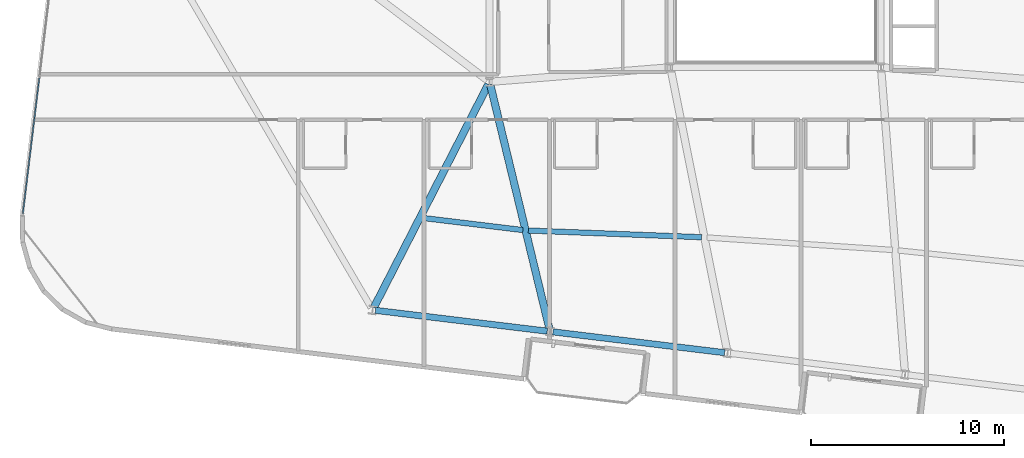
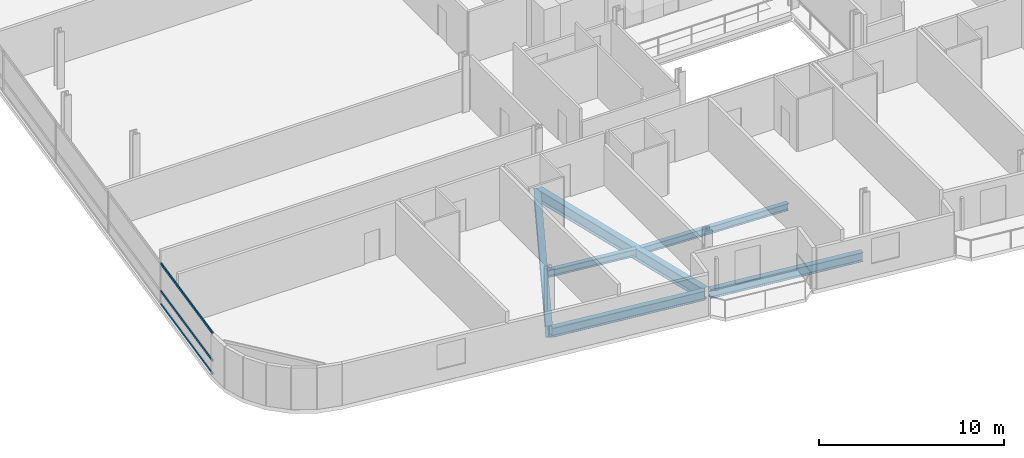
# One storey, part 3 of 26: 6 beams, 3 members, 1 element without a shape of its own.
"""IFC4 building model written with IfcOpenShell, lengths in metres."""

from ifc_helpers import new_model, si_unit, direction, frame, origin, origin_2d, place, context, subcontext, project, spatial, hollow_rectangle, i_section, extrude, material, layer, layer_set, material_profile, profile_set, type_object, element, aggregate, save


model = new_model("IFC4")

# Units and contexts
model_context = context("Model", 3, precision=1e-05, world=origin(), true_north=direction((0.0, 1.0)))
body_context = subcontext(model_context, "Body", "Model", "MODEL_VIEW")
ifc_project = project(units=[si_unit("LENGTHUNIT", "METRE"), si_unit("AREAUNIT", "SQUARE_METRE"), si_unit("VOLUMEUNIT", "CUBIC_METRE"), si_unit("PLANEANGLEUNIT", "RADIAN"), si_unit("MASSUNIT", "GRAM", prefix="KILO")], contexts=[model_context])

# Site, building, storey
site_placement = place(None, origin())
site = spatial("IfcSite", under=ifc_project, at=site_placement, CompositionType="ELEMENT")
building_placement = place(site_placement, origin())
building = spatial("IfcBuilding", under=site, at=building_placement, Name="Varnelok Gate Tower", CompositionType="ELEMENT")
storey_placement = place(building_placement, frame((0.0, 0.0, 121.699951171875)))
storey = spatial("IfcBuildingStorey", under=building, at=storey_placement, Name="L30", CompositionType="ELEMENT", Elevation=121.699951171875)

# Beams
ifc_material_1 = material(Name="Structural Steel ASTM A992 Grade 50", Category="steel")
ifc_material_profile_1 = material_profile(ifc_material_1, i_section(OverallWidth=0.280029296875, OverallDepth=0.462890625, WebThickness=0.0107421875, FlangeThickness=0.017333984375, FilletRadius=0.014892578125, at=origin_2d()), Name="W18X76")
ifc_profile_set_1 = profile_set([ifc_material_profile_1], Name="Structural Steel ASTM A992 Grade 50")
beam_type_1 = type_object("IfcBeamType", Name="BM-JST-W18X76", PredefinedType="JOIST", material=ifc_profile_set_1)
beam_1_placement = place(storey_placement, frame((20.936767578125, 11.76025390625, -0.4814453125), z_axis=(0.99273192091, -0.120346720792, 0.0), x_axis=(0.120346720792, 0.99273192091, 0.0)))
element("IfcBeam", 1, at=beam_1_placement, inside=storey, type_object=beam_type_1, Name="L30 Sector Floor Joist 1", PredefinedType="JOIST", context=body_context, shape_type="SweptSolid", body=[
    extrude(i_section(OverallWidth=0.280029296875, OverallDepth=0.462890625, WebThickness=0.0107421875, FlangeThickness=0.017333984375, FilletRadius=0.014892578125, at=origin_2d()), origin(), (0.0, 0.0, 1.0), 5.223876953125),
])
beam_2_placement = place(storey_placement, frame((26.4013671875, 11.109375, -0.4814453125), z_axis=(0.999248831598, -0.038752710239, 0.0), x_axis=(0.038752710239, 0.999248831598, 0.0)))
element("IfcBeam", 2, at=beam_2_placement, inside=storey, type_object=beam_type_1, Name="L30 Sector Floor Joist 2", PredefinedType="JOIST", context=body_context, shape_type="SweptSolid", body=[
    extrude(i_section(OverallWidth=0.280029296875, OverallDepth=0.462890625, WebThickness=0.0107421875, FlangeThickness=0.017333984375, FilletRadius=0.014892578125, at=origin_2d()), origin(), (0.0, 0.0, 1.0), 8.9775390625),
])
ifc_material_profile_2 = material_profile(ifc_material_1, i_section(OverallWidth=0.381103515625, OverallDepth=0.77294921875, WebThickness=0.0166015625, FlangeThickness=0.027099609375, FilletRadius=0.02197265625, at=origin_2d()), Name="W30X173")
ifc_profile_set_2 = profile_set([ifc_material_profile_2], Name="Structural Steel ASTM A992 Grade 50")
beam_type_2 = type_object("IfcBeamType", Name="BM-PRI-W30X173", PredefinedType="BEAM", material=ifc_profile_set_2)
beam_3_placement = place(storey_placement, frame((24.33154296875, 18.66650390625, -0.636474609375), z_axis=(-0.456386604987, -0.889781583754, 0.0), x_axis=(0.889781583754, -0.456386604987, 0.0)))
element("IfcBeam", 3, at=beam_3_placement, inside=storey, type_object=beam_type_2, Name="L30 Radial Floor Girder 1", PredefinedType="BEAM", context=body_context, shape_type="SweptSolid", body=[
    extrude(i_section(OverallWidth=0.381103515625, OverallDepth=0.77294921875, WebThickness=0.0166015625, FlangeThickness=0.027099609375, FilletRadius=0.02197265625, at=origin_2d()), origin(), (0.0, 0.0, 1.0), 12.96533203125),
])
beam_4_placement = place(storey_placement, frame((24.435302734375, 18.654296875, -0.636474609375), z_axis=(0.235400453941, -0.971898465008, 0.0), x_axis=(0.971898465008, 0.235400453941, 0.0)))
element("IfcBeam", 4, at=beam_4_placement, inside=storey, type_object=beam_type_2, Name="L30 Radial Floor Girder 2", PredefinedType="BEAM", context=body_context, shape_type="SweptSolid", body=[
    extrude(i_section(OverallWidth=0.381103515625, OverallDepth=0.77294921875, WebThickness=0.0166015625, FlangeThickness=0.027099609375, FilletRadius=0.02197265625, at=origin_2d()), origin(), (0.0, 0.0, 1.0), 12.989990234375),
])
ifc_material_profile_3 = material_profile(ifc_material_1, i_section(OverallWidth=0.323974609375, OverallDepth=0.611083984375, WebThickness=0.0126953125, FlangeThickness=0.01904296875, FilletRadius=0.01806640625, at=origin_2d()), Name="W24X104")
ifc_profile_set_3 = profile_set([ifc_material_profile_3], Name="Structural Steel ASTM A992 Grade 50")
beam_type_3 = type_object("IfcBeamType", Name="BM-SPN-W24X104", PredefinedType="SPANDREL", material=ifc_profile_set_3)
for number, where, z_axis, x_axis, name in (
    (5, (18.49462890625, 6.978515625, -0.555419921875), (0.992734670707, -0.120324035735, 0.0), (0.120324035735, 0.992734670707, 0.0), "L30 Perimeter Spandrel Beam 1"),
    (6, (27.677490234375, 5.865478515625, -0.555419921875), (0.99273141198, -0.120350918849, 0.0), (0.120350918849, 0.99273141198, 0.0), "L30 Perimeter Spandrel Beam 2"),
):
    element("IfcBeam", number, at=place(storey_placement, frame(where, z_axis=z_axis, x_axis=x_axis)), inside=storey, type_object=beam_type_3, Name=name, PredefinedType="SPANDREL", context=body_context, shape_type="SweptSolid", body=[
        extrude(i_section(OverallWidth=0.323974609375, OverallDepth=0.611083984375, WebThickness=0.0126953125, FlangeThickness=0.01904296875, FilletRadius=0.01806640625, at=origin_2d()), origin(), (0.0, 0.0, 1.0), 8.949951171875),
    ])

# Curtain wall, members
ifc_material_2 = material(Name="Anodized Aluminum Alloy 6063-T6", Category="aluminium")
ifc_layer = layer(ifc_material_2, 0.179931640625)
ifc_layer_set = layer_set([ifc_layer], Name="Anodized Aluminum Alloy 6063-T6")
curtain_wall_type = type_object("IfcCurtainWallType", Name="CW3-HOTEL-VISION", PredefinedType="USERDEFINED", material=ifc_layer_set)
curtain_wall_placement = place(storey_placement, origin())
curtain_wall = element("IfcCurtainWall", 7, at=curtain_wall_placement, inside=storey, type_object=curtain_wall_type, Name="L30 West End Vision Curtain Wall", ObjectType="UNITISED CURTAIN WALL", PredefinedType="USERDEFINED")
ifc_material_profile_4 = material_profile(ifc_material_2, hollow_rectangle(XDim=0.06494140625, YDim=0.159912109375, WallThickness=0.00390625, at=origin_2d()), Name="ALU160X65X4")
ifc_profile_set_4 = profile_set([ifc_material_profile_4], Name="Anodized Aluminum Alloy 6063-T6")
member_type = type_object("IfcMemberType", Name="CW-TRAN-160", PredefinedType="USERDEFINED", material=ifc_profile_set_4)
member_1_placement = place(storey_placement, frame((0.2509765625, 11.955322265625, 0.032470703125), z_axis=(0.120344712857, 0.992732164326, 0.0), x_axis=(-0.992732164326, 0.120344712857, 0.0)))
member_1 = element("IfcMember", 8, at=member_1_placement, type_object=member_type, Name="CW3 transom 1.1", ObjectType="TRANSOM", PredefinedType="USERDEFINED", context=body_context, shape_type="SweptSolid", body=[
    extrude(hollow_rectangle(XDim=0.06494140625, YDim=0.159912109375, WallThickness=0.00390625, at=origin_2d()), origin(), (0.0, 0.0, 1.0), 7.102294921875),
])
member_2_placement = place(storey_placement, frame((0.2509765625, 11.955322265625, 0.900146484375), z_axis=(0.120344712857, 0.992732164326, 0.0), x_axis=(-0.992732164326, 0.120344712857, 0.0)))
member_2 = element("IfcMember", 9, at=member_2_placement, type_object=member_type, Name="CW3 transom 1.2", ObjectType="TRANSOM", PredefinedType="USERDEFINED", context=body_context, shape_type="SweptSolid", body=[
    extrude(hollow_rectangle(XDim=0.06494140625, YDim=0.159912109375, WallThickness=0.00390625, at=origin_2d()), origin(), (0.0, 0.0, 1.0), 7.102294921875),
])
member_3_placement = place(storey_placement, frame((0.2509765625, 11.955322265625, 2.697509765625), z_axis=(0.120344712857, 0.992732164326, 0.0), x_axis=(-0.992732164326, 0.120344712857, 0.0)))
member_3 = element("IfcMember", 10, at=member_3_placement, type_object=member_type, Name="CW3 transom 1.3", ObjectType="TRANSOM", PredefinedType="USERDEFINED", context=body_context, shape_type="SweptSolid", body=[
    extrude(hollow_rectangle(XDim=0.06494140625, YDim=0.159912109375, WallThickness=0.00390625, at=origin_2d()), origin(), (0.0, 0.0, 1.0), 7.102294921875),
])
aggregate(curtain_wall, [member_1, member_2, member_3])

save(model, "model.ifc")
